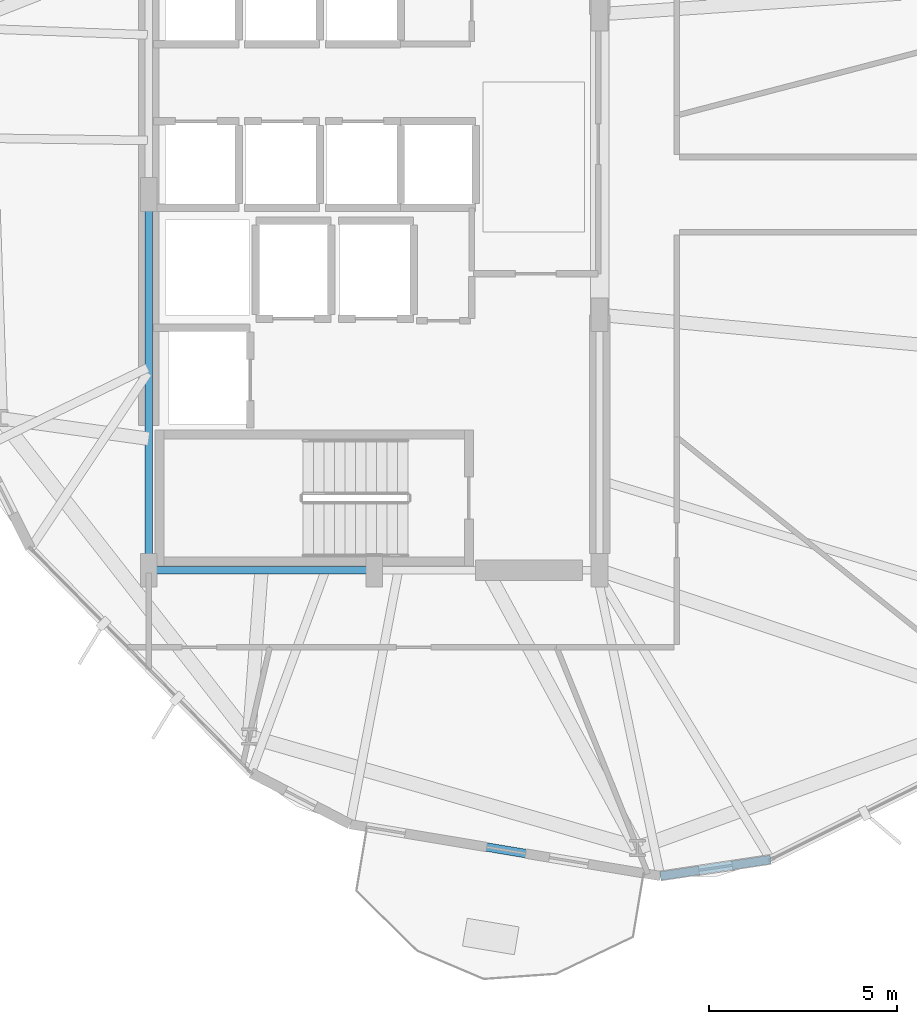
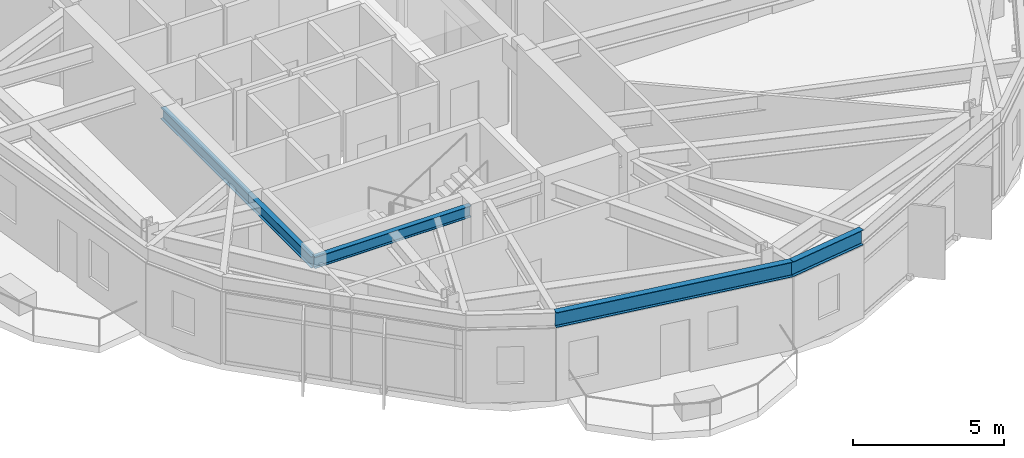
# One storey, part 3 of 22: 4 beams.
"""IFC4 building model written with IfcOpenShell, lengths in metres."""

import ifcopenshell
import ifcopenshell.guid

model = None  # the IFC model being written
_history = None  # IfcOwnerHistory: only IFC2X3 demands one
_inside = {}  # id of a spatial element -> (the spatial element, [elements in it])
_under = {}  # id of a project, library or spatial element -> (it, [spatial elements below it])
_declared = {}  # id of a project -> (the project, [libraries it declares])
_typed = {}  # id of a type object -> (the type object, [elements of that type])
_made_of = {}  # id of a material, layer set ... -> (it, [elements and type objects made of it])


def new_model(schema):
    """Start an empty IFC model of exactly this schema.

    Asked for "IFC4X3", IfcOpenShell would pick the latest addendum, in which some entities
    have other attributes; the version numbers below select the first issue.
    IFC2X3 requires an IfcOwnerHistory on every rooted entity: one is made here for all.
    """
    global model, _history
    if schema == "IFC4X3":
        model = ifcopenshell.file(schema_version=(4, 3, 0, 0))
    else:
        model = ifcopenshell.file(schema=schema)
    _inside.clear()
    _under.clear()
    _declared.clear()
    _typed.clear()
    _made_of.clear()
    _history = None
    if model.schema == "IFC2X3":
        org = make("IfcOrganization", Name="unknown")
        user = make(
            "IfcPersonAndOrganization",
            ThePerson=make("IfcPerson", FamilyName="unknown"),
            TheOrganization=org,
        )
        app = make(
            "IfcApplication",
            ApplicationDeveloper=org,
            Version="unknown",
            ApplicationFullName="unknown",
            ApplicationIdentifier="unknown",
        )
        _history = make(
            "IfcOwnerHistory",
            OwningUser=user,
            OwningApplication=app,
            ChangeAction="ADDED",
            CreationDate=0,
        )
    return model


def make(cls, **values):
    """One entity of the class cls with the attributes given. An attribute that is None is left unset."""
    return model.create_entity(
        cls, **{name: value for name, value in values.items() if value is not None}
    )


def rooted(cls, **values):
    """An entity with a GlobalId (a new one), such as an element, a storey or a relation."""
    return make(cls, GlobalId=ifcopenshell.guid.new(), OwnerHistory=_history, **values)


def si_unit(unit_type, name, prefix=None):
    """IfcSIUnit, for example si_unit("LENGTHUNIT", "METRE", prefix="MILLI")."""
    return make("IfcSIUnit", UnitType=unit_type, Prefix=prefix, Name=name)


def assignment(units):
    """IfcUnitAssignment: the units of a project."""
    return None if units is None else make("IfcUnitAssignment", Units=units)


def point(xyz):
    """IfcCartesianPoint."""
    return None if xyz is None else make("IfcCartesianPoint", Coordinates=xyz)


def direction(xyz):
    """IfcDirection."""
    return None if xyz is None else make("IfcDirection", DirectionRatios=xyz)


def frame(location, z_axis=None, x_axis=None):
    """IfcAxis2Placement3D, a coordinate frame: its origin and axes. An axis left out is left unset."""
    return make(
        "IfcAxis2Placement3D",
        Location=point(location),
        Axis=direction(z_axis),
        RefDirection=direction(x_axis),
    )


def frame_2d(location, x_axis=None):
    """IfcAxis2Placement2D, a coordinate frame in the plane: its origin and x axis."""
    return make(
        "IfcAxis2Placement2D", Location=point(location), RefDirection=direction(x_axis)
    )


def origin():
    """The frame at (0, 0, 0) with its axes left unset."""
    return frame((0.0, 0.0, 0.0))


def origin_2d():
    """The frame at (0, 0) in the plane with its x axis left unset."""
    return frame_2d((0.0, 0.0))


def place(relative_to, where):
    """IfcLocalPlacement: puts the frame where relative to a parent placement (None: the world)."""
    return make(
        "IfcLocalPlacement", PlacementRelTo=relative_to, RelativePlacement=where
    )


def context(
    kind, dimensions, precision=None, world=None, true_north=None, identifier=None
):
    """IfcGeometricRepresentationContext, for example the 3D "Model" context."""
    return make(
        "IfcGeometricRepresentationContext",
        ContextIdentifier=identifier,
        ContextType=kind,
        CoordinateSpaceDimension=dimensions,
        Precision=precision,
        WorldCoordinateSystem=world,
        TrueNorth=true_north,
    )


def subcontext(parent, identifier, kind, view, scale=None):
    """IfcGeometricRepresentationSubContext, for example "Body" below "Model"."""
    return make(
        "IfcGeometricRepresentationSubContext",
        ContextIdentifier=identifier,
        ContextType=kind,
        ParentContext=parent,
        TargetScale=scale,
        TargetView=view,
    )


def project(units=None, contexts=None):
    """IfcProject with its units and contexts."""
    return rooted(
        "IfcProject",
        Name="project",
        RepresentationContexts=contexts,
        UnitsInContext=assignment(units),
    )


def spatial(cls, under=None, at=None, **own):
    """A site, building, storey or space (cls), placed at a placement, below another one or the project."""
    s = rooted(cls, ObjectPlacement=at, **own)
    if under is not None:
        _under.setdefault(under.id(), (under, []))[1].append(s)
    return s


def profile(cls, at=None, kind="AREA", **sizes):
    """A parametric profile (cls). Its sizes go by their IFC names, for example OverallWidth=200.0."""
    return make(cls, ProfileType=kind, Position=at, **sizes)


def i_section(**sizes):
    """IfcIShapeProfileDef."""
    return profile("IfcIShapeProfileDef", **sizes)


def extrude(swept, where, along, depth):
    """IfcExtrudedAreaSolid: the profile swept, set in the frame where, extruded along a direction by depth."""
    return make(
        "IfcExtrudedAreaSolid",
        SweptArea=swept,
        Position=where,
        ExtrudedDirection=direction(along),
        Depth=depth,
    )


def shape(context_of_items, identifier, shape_type, items):
    """IfcShapeRepresentation: the items that make up one representation, for example the "Body"."""
    return make(
        "IfcShapeRepresentation",
        ContextOfItems=context_of_items,
        RepresentationIdentifier=identifier,
        RepresentationType=shape_type,
        Items=items,
    )


def material(Name=None, Category=None):
    """IfcMaterial."""
    return make("IfcMaterial", Name=Name, Category=Category)


def material_profile(
    of_material, cross_section, Name=None, Category=None, Priority=None
):
    """IfcMaterialProfile: a cross section and its material."""
    return make(
        "IfcMaterialProfile",
        Name=Name,
        Material=of_material,
        Profile=cross_section,
        Priority=Priority,
        Category=Category,
    )


def profile_set(profiles, Name=None, composite=None):
    """IfcMaterialProfileSet."""
    return make(
        "IfcMaterialProfileSet",
        Name=Name,
        MaterialProfiles=profiles,
        CompositeProfile=composite,
    )


def made_of(thing, what):
    """Note that an element or type object is made of a material, layer set ...; save() writes the relation."""
    if what is not None:
        _made_of.setdefault(what.id(), (what, []))[1].append(thing)
    return thing


def type_object(cls, material=None, **own):
    """A type object (cls), such as IfcWallType, which elements share."""
    return made_of(rooted(cls, **own), material)


def element(
    cls,
    number,
    at=None,
    inside=None,
    cuts=None,
    type_object=None,
    material=None,
    context=None,
    identifier="Body",
    shape_type=None,
    held_by="IfcProductDefinitionShape",
    body=None,
    shapes=None,
    **own,
):
    """One element of the class cls, such as IfcWall. Its Tag is "e" and its number.

    at: its placement. inside: the storey or other place that contains it. cuts: it is an
    opening in that element (IfcRelVoidsElement). A single representation is given by context,
    identifier, shape_type and body (its items); several are given by shapes. held_by: the class
    of the entity that holds the representations. save() writes the other relations.
    """
    e = rooted(cls, Tag="e%d" % number, ObjectPlacement=at, **own)
    if body is not None:
        shapes = [shape(context, identifier, shape_type, body)]
    if shapes is not None:
        e.Representation = make(held_by, Representations=shapes)
    if inside is not None:
        _inside.setdefault(inside.id(), (inside, []))[1].append(e)
    if cuts is not None:
        rooted(
            "IfcRelVoidsElement", RelatingBuildingElement=cuts, RelatedOpeningElement=e
        )
    if type_object is not None:
        _typed.setdefault(type_object.id(), (type_object, []))[1].append(e)
    return made_of(e, material)


def aggregate(whole, parts):
    """IfcRelAggregates: a whole, such as a stair, and the parts it consists of."""
    return rooted("IfcRelAggregates", RelatingObject=whole, RelatedObjects=parts)


def save(model, path):
    """Write the relations noted so far, then the file.

    IfcRelAggregates (storeys below a building ...), IfcRelContainedInSpatialStructure (elements
    in a storey), IfcRelDefinesByType, IfcRelAssociatesMaterial and IfcRelDeclares: one each for
    every whole, place, type object, material and project.
    """
    for whole, parts in _under.values():
        aggregate(whole, parts)
    for where, things in _inside.values():
        rooted(
            "IfcRelContainedInSpatialStructure",
            RelatedElements=things,
            RelatingStructure=where,
        )
    for kind, things in _typed.values():
        rooted("IfcRelDefinesByType", RelatedObjects=things, RelatingType=kind)
    for what, things in _made_of.values():
        rooted("IfcRelAssociatesMaterial", RelatedObjects=things, RelatingMaterial=what)
    for by, libraries in _declared.values():
        rooted("IfcRelDeclares", RelatingContext=by, RelatedDefinitions=libraries)
    model.write(path)


model = new_model("IFC4")

# Units and contexts
model_context = context("Model", 3, precision=1e-05, world=origin(), true_north=direction((0.0, 1.0)))
body_context = subcontext(model_context, "Body", "Model", "MODEL_VIEW")
ifc_project = project(units=[si_unit("LENGTHUNIT", "METRE"), si_unit("AREAUNIT", "SQUARE_METRE"), si_unit("VOLUMEUNIT", "CUBIC_METRE"), si_unit("PLANEANGLEUNIT", "RADIAN"), si_unit("MASSUNIT", "GRAM", prefix="KILO")], contexts=[model_context])

# Site, building, storey
site_placement = place(None, origin())
site = spatial("IfcSite", under=ifc_project, at=site_placement, CompositionType="ELEMENT")
building_placement = place(site_placement, origin())
building = spatial("IfcBuilding", under=site, at=building_placement, Name="Soratama Intermodal Tower", CompositionType="ELEMENT")
storey_placement = place(building_placement, frame((0.0, 0.0, 130.300048828125)))
storey = spatial("IfcBuildingStorey", under=building, at=storey_placement, Name="L31", CompositionType="ELEMENT", Elevation=130.300048828125)

# Beams
ifc_material_1 = material(Name="Structural steel ASTM A992 Grade 50", Category="steel")
ifc_material_profile_1 = material_profile(ifc_material_1, i_section(OverallWidth=0.19091796875, OverallDepth=0.4599609375, WebThickness=0.010009765625, FlangeThickness=0.01611328125, FilletRadius=0.010986328125, at=origin_2d()), Name="W18X55")
ifc_profile_set_1 = profile_set([ifc_material_profile_1], Name="Structural steel ASTM A992 Grade 50")
beam_type_1 = type_object("IfcBeamType", Name="BM-FLR-W18X55", PredefinedType="BEAM", material=ifc_profile_set_1)
beam_1_placement = place(storey_placement, frame((32.60009765625, 15.0, 3.329833984375), z_axis=(1.0, 0.0, 0.0), x_axis=(0.0, 1.0, 0.0)))
element("IfcBeam", 1, at=beam_1_placement, inside=storey, type_object=beam_type_1, Name="BM-L31-CRING-01", PredefinedType="BEAM", context=body_context, shape_type="SweptSolid", body=[
    extrude(i_section(OverallWidth=0.19091796875, OverallDepth=0.4599609375, WebThickness=0.010009765625, FlangeThickness=0.01611328125, FilletRadius=0.010986328125, at=origin_2d()), origin(), (0.0, 0.0, 1.0), 6.0),
])
beam_2_placement = place(storey_placement, frame((32.60009765625, 25.0, 3.329833984375), z_axis=(0.0, -1.0, 0.0), x_axis=(1.0, 0.0, 0.0)))
element("IfcBeam", 2, at=beam_2_placement, inside=storey, type_object=beam_type_1, Name="BM-L31-CRING-09", PredefinedType="BEAM", context=body_context, shape_type="SweptSolid", body=[
    extrude(i_section(OverallWidth=0.19091796875, OverallDepth=0.4599609375, WebThickness=0.010009765625, FlangeThickness=0.01611328125, FilletRadius=0.010986328125, at=origin_2d()), origin(), (0.0, 0.0, 1.0), 10.0),
])
ifc_material_2 = material(Name="Structural steel ASTM A992 Grade 50", Category="steel")
ifc_material_profile_2 = material_profile(ifc_material_2, i_section(OverallWidth=0.22900390625, OverallDepth=0.612060546875, WebThickness=0.011962890625, FlangeThickness=0.01953125, FilletRadius=0.012939453125, at=origin_2d()), Name="W24X84")
ifc_profile_set_2 = profile_set([ifc_material_profile_2], Name="Structural steel ASTM A992 Grade 50")
beam_type_2 = type_object("IfcBeamType", Name="BM-SPN-W24X84", PredefinedType="SPANDREL", material=ifc_profile_set_2)
beam_3_placement = place(storey_placement, frame((37.9560546875, 8.241943359375, 3.25390625), z_axis=(0.98633477311, -0.164753498762, 0.0), x_axis=(0.164753498762, 0.98633477311, 0.0)))
element("IfcBeam", 3, at=beam_3_placement, inside=storey, type_object=beam_type_2, Name="BS-L31-F07", PredefinedType="SPANDREL", context=body_context, shape_type="SweptSolid", body=[
    extrude(i_section(OverallWidth=0.22900390625, OverallDepth=0.612060546875, WebThickness=0.011962890625, FlangeThickness=0.01953125, FilletRadius=0.012939453125, at=origin_2d()), origin(), (0.0, 0.0, 1.0), 8.37548828125),
])
beam_4_placement = place(storey_placement, frame((46.217041015625, 6.862060546875, 3.25390625), z_axis=(0.988942991843, 0.148296186344, 0.0), x_axis=(-0.148296186344, 0.988942991843, 0.0)))
element("IfcBeam", 4, at=beam_4_placement, inside=storey, type_object=beam_type_2, Name="BS-L31-CRN07", PredefinedType="SPANDREL", context=body_context, shape_type="SweptSolid", body=[
    extrude(i_section(OverallWidth=0.22900390625, OverallDepth=0.612060546875, WebThickness=0.011962890625, FlangeThickness=0.01953125, FilletRadius=0.012939453125, at=origin_2d()), origin(), (0.0, 0.0, 1.0), 2.966552734375),
])

save(model, "model.ifc")
